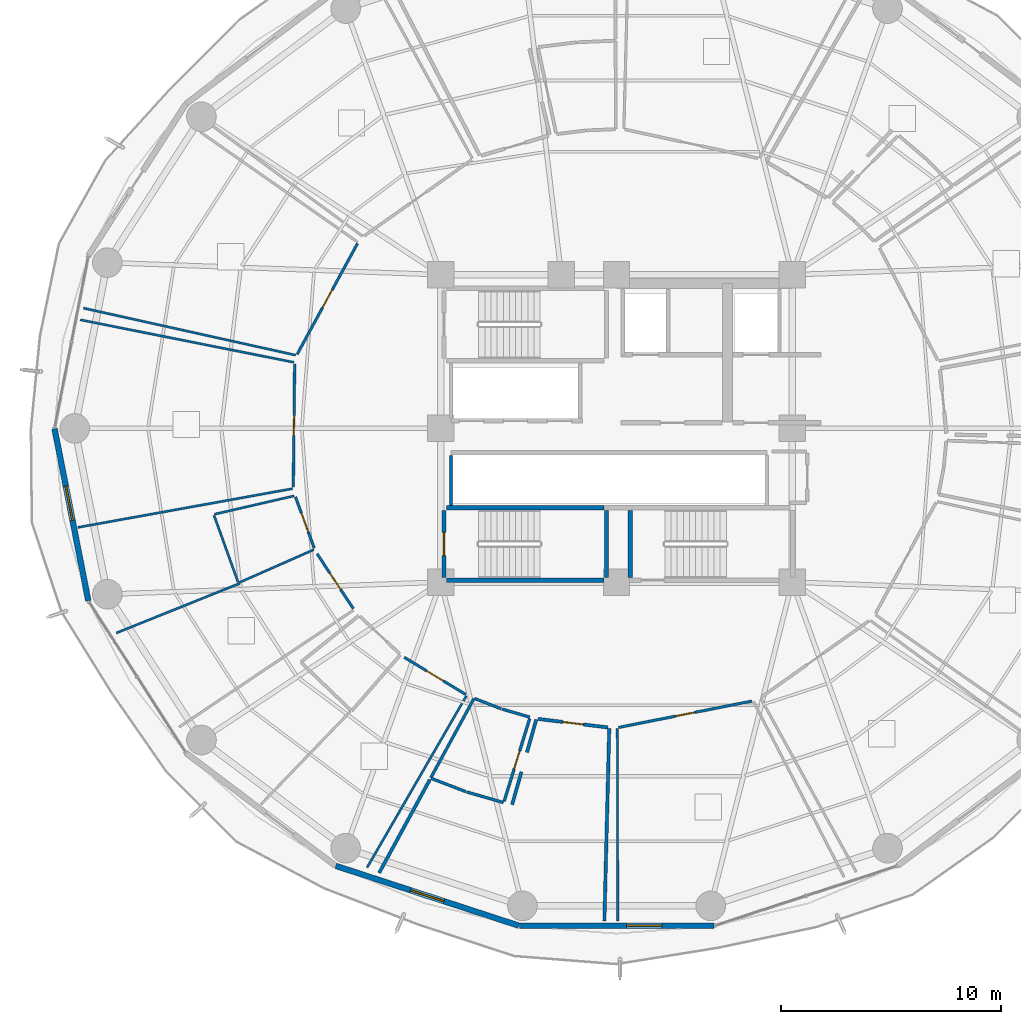
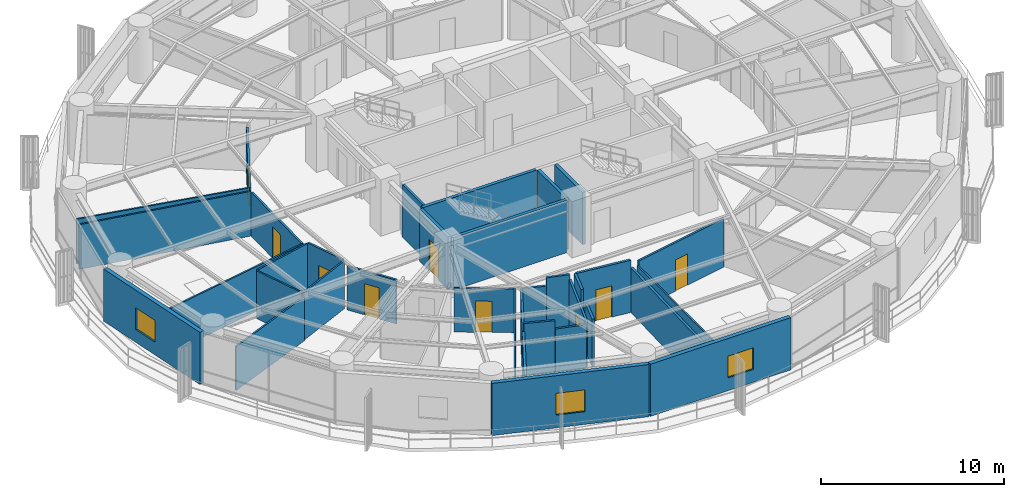
# One storey, part 29 of 35: 35 walls, 9 doors, 3 windows, 12 openings.
"""IFC4 building model written with IfcOpenShell, lengths in metres."""

from ifc_helpers import new_model, si_unit, direction, frame, frame_2d, origin, place, context, subcontext, project, spatial, rectangle, extrude, material, layer, layer_set, type_object, element, fill, save


model = new_model("IFC4")

# Units and contexts
model_context = context("Model", 3, precision=1e-05, world=origin(), true_north=direction((0.0, 1.0)))
body_context = subcontext(model_context, "Body", "Model", "MODEL_VIEW")
ifc_project = project(units=[si_unit("LENGTHUNIT", "METRE"), si_unit("AREAUNIT", "SQUARE_METRE"), si_unit("VOLUMEUNIT", "CUBIC_METRE"), si_unit("PLANEANGLEUNIT", "RADIAN"), si_unit("MASSUNIT", "GRAM", prefix="KILO")], contexts=[model_context])

# Site, building, storey
site_placement = place(None, origin())
site = spatial("IfcSite", under=ifc_project, at=site_placement, CompositionType="ELEMENT")
building_placement = place(site_placement, origin())
building = spatial("IfcBuilding", under=site, at=building_placement, Name="Kelanora Arch Commons", CompositionType="ELEMENT")
storey_placement = place(building_placement, frame((0.0, 0.0, 121.35009765625)))
storey = spatial("IfcBuildingStorey", under=building, at=storey_placement, Name="L31", CompositionType="ELEMENT", Elevation=121.35009765625)

# Wall
ifc_material_1 = material(Name="Autoclaved aerated concrete blockwork with fire plaster", Category="masonry")
ifc_layer_1 = layer(ifc_material_1, 0.14990234375)
ifc_layer_set_1 = layer_set([ifc_layer_1], Name="Autoclaved aerated concrete blockwork with fire plaster")
wall_type_1 = type_object("IfcWallType", Name="W-COMP-150", PredefinedType="PARTITIONING", material=ifc_layer_set_1)
wall_1_placement = place(storey_placement, frame((66.4599609375, 54.47998046875, 0.0), z_axis=(0.0, 0.0, 1.0), x_axis=(0.0, 1.0, 0.0)))
element("IfcWall", 1, at=wall_1_placement, inside=storey, type_object=wall_type_1, Name="South Lift Bank West Wall L31", PredefinedType="PARTITIONING", context=body_context, shape_type="SweptSolid", body=[
    extrude(rectangle(XDim=2.2900390625, YDim=0.14990234375, at=frame_2d((1.14501953125, 0.0))), origin(), (0.0, 0.0, 1.0), 3.47998046875),
])

# Wall, opening, door
wall_2_placement = place(storey_placement, frame((70.41357421875, 44.769775390625, 0.0), z_axis=(0.0, 0.0, 1.0), x_axis=(0.992649213004, -0.12102702146, 0.0)))
wall_2 = element("IfcWall", 2, at=wall_2_placement, inside=storey, type_object=wall_type_1, Name="Co-Living Studio L31-09 Entry Partition", PredefinedType="PARTITIONING", context=body_context, shape_type="SweptSolid", body=[
    extrude(rectangle(XDim=3.217529296875, YDim=0.14990234375, at=frame_2d((1.60888671875, 0.0))), origin(), (0.0, 0.0, 1.0), 3.47998046875),
])
opening_1_placement = place(wall_2_placement, frame((1.134033203125, 0.0, 0.0)))
opening_1 = element("IfcOpeningElement", 3, at=opening_1_placement, cuts=wall_2, Name="Opening D-CLU1", PredefinedType="OPENING", context=body_context, shape_type="SweptSolid", body=[
    extrude(rectangle(XDim=0.949951171875, YDim=2.080078125, at=frame_2d((0.47509765625, 1.0400390625))), frame((0.0, 0.0849609375, 0.0), z_axis=(0.0, -1.0, 0.0), x_axis=(1.0, 0.0, 0.0)), (0.0, 0.0, 1.0), 0.169921875),
])
ifc_material_2 = material(Name="Solid-core acoustic timber cluster entry fire door", Category="wood")
door_type_1 = type_object("IfcDoorType", Name="D-CLU-95", OperationType="NOTDEFINED", PredefinedType="DOOR", material=ifc_material_2)
door_1_placement = place(opening_1_placement, origin())
door_1 = element("IfcDoor", 4, at=door_1_placement, inside=storey, type_object=door_type_1, Name="Co-Living Studio L31-09 Door", OperationType="SINGLE_SWING_LEFT", OverallHeight=2.080078125, OverallWidth=0.949951171875, PredefinedType="DOOR", context=body_context, shape_type="SweptSolid", body=[
    extrude(rectangle(XDim=0.949951171875, YDim=2.080078125, at=frame_2d((0.47509765625, 1.0400390625))), frame((0.0, 0.02490234375, 0.0), z_axis=(0.0, -1.0, 0.0), x_axis=(1.0, 0.0, 0.0)), (0.0, 0.0, 1.0), 0.050048828125),
])
fill(opening_1, door_1)

# Walls
wall_3_placement = place(storey_placement, frame((73.666015625, 44.3330078125, 0.0), z_axis=(0.0, 0.0, 1.0), x_axis=(-0.025193894125, -0.999682583473, 0.0)))
element("IfcWall", 5, at=wall_3_placement, inside=storey, type_object=wall_type_1, Name="Co-Living Studio L31-09 Enclosure Partition 2", PredefinedType="PARTITIONING", context=body_context, shape_type="SweptSolid", body=[
    extrude(rectangle(XDim=8.769775390625, YDim=0.14990234375, at=frame_2d((4.384765625, 0.0))), origin(), (0.0, 0.0, 1.0), 2.974853515625),
])
wall_4_placement = place(storey_placement, frame((63.18798828125, 37.759033203125, 0.0), z_axis=(0.0, 0.0, 1.0), x_axis=(0.477678819353, 0.878534544307, 0.0)))
element("IfcWall", 6, at=wall_4_placement, inside=storey, type_object=wall_type_1, Name="Co-Living Studio L31-09 Enclosure Partition 5", PredefinedType="PARTITIONING", context=body_context, shape_type="SweptSolid", body=[
    extrude(rectangle(XDim=4.827392578125, YDim=0.14990234375, at=frame_2d((2.41357421875, 0.0))), origin(), (0.0, 0.0, 1.0), 2.974853515625),
])
wall_5_placement = place(storey_placement, frame((69.243896484375, 40.866455078125, 0.0), z_axis=(0.0, 0.0, 1.0), x_axis=(0.273076599945, 0.961992292361, 0.0)))
element("IfcWall", 7, at=wall_5_placement, inside=storey, type_object=wall_type_1, Name="Co-Living Studio L31-09 Enclosure Partition 7", PredefinedType="PARTITIONING", context=body_context, shape_type="SweptSolid", body=[
    extrude(rectangle(XDim=1.54931640625, YDim=0.14990234375, at=frame_2d((0.774658203125, 0.0))), origin(), (0.0, 0.0, 1.0), 3.1748046875),
])
wall_6_placement = place(storey_placement, frame((69.918212890625, 43.2421875, 0.0), z_axis=(0.0, 0.0, 1.0), x_axis=(0.273103794408, 0.961984572371, 0.0)))
element("IfcWall", 8, at=wall_6_placement, inside=storey, type_object=wall_type_1, Name="Co-Living Studio L31-09 Enclosure Partition 7", PredefinedType="PARTITIONING", context=body_context, shape_type="SweptSolid", body=[
    extrude(rectangle(XDim=1.555419921875, YDim=0.14990234375, at=frame_2d((0.77783203125, 0.0))), origin(), (0.0, 0.0, 1.0), 3.47998046875),
])

# Wall, opening, window
ifc_material_3 = material(Name="Precast concrete C40/50 with terracotta rainscreen", Category="masonry")
ifc_layer_2 = layer(ifc_material_3, 0.260009765625)
ifc_layer_set_2 = layer_set([ifc_layer_2], Name="Precast concrete C40/50 with terracotta rainscreen")
wall_type_2 = type_object("IfcWallType", Name="W-EXT-TC", PredefinedType="SOLIDWALL", material=ifc_layer_set_2)
wall_7_placement = place(storey_placement, frame((48.40283203125, 57.9853515625, 0.0), z_axis=(0.0, 0.0, 1.0), x_axis=(0.192581843632, -0.981280914674, 0.0)))
wall_7 = element("IfcWall", 9, at=wall_7_placement, inside=storey, type_object=wall_type_2, Name="Terracotta Exterior Wall L31-B09", PredefinedType="SOLIDWALL", context=body_context, shape_type="SweptSolid", body=[
    extrude(rectangle(XDim=7.986572265625, YDim=0.260009765625, at=frame_2d((3.9931640625, 0.0))), origin(), (0.0, 0.0, 1.0), 3.474853515625),
])
opening_2_placement = place(wall_7_placement, frame((2.653076171875, 0.0, 0.85009765625)))
opening_2 = element("IfcOpeningElement", 10, at=opening_2_placement, cuts=wall_7, Name="Opening WN-01", PredefinedType="OPENING", context=body_context, shape_type="SweptSolid", body=[
    extrude(rectangle(XDim=1.60009765625, YDim=1.449951171875, at=frame_2d((0.800048828125, 0.72509765625))), frame((0.0, 0.14013671875, 0.0), z_axis=(0.0, -1.0, 0.0), x_axis=(1.0, 0.0, 0.0)), (0.0, 0.0, 1.0), 0.280029296875),
])
ifc_material_4 = material(Name="Terracotta-anodised aluminium frame with operable low-E glazing", Category="masonry")
window_type = type_object("IfcWindowType", Name="WIN-CL-18", PartitioningType="DOUBLE_PANEL_VERTICAL", PredefinedType="WINDOW", material=ifc_material_4)
window_1_placement = place(opening_2_placement, origin())
window_1 = element("IfcWindow", 11, at=window_1_placement, inside=storey, type_object=window_type, Name="Co-Living Operable Window L31-B09", OverallHeight=1.449951171875, OverallWidth=1.60009765625, PartitioningType="SINGLE_PANEL", PredefinedType="WINDOW", context=body_context, shape_type="SweptSolid", body=[
    extrude(rectangle(XDim=1.60009765625, YDim=1.449951171875, at=frame_2d((0.800048828125, 0.72509765625))), frame((0.0, 0.030029296875, 0.0), z_axis=(0.0, -1.0, 0.0), x_axis=(1.0, 0.0, 0.0)), (0.0, 0.0, 1.0), 0.06005859375),
])
fill(opening_2, window_1)

wall_8_placement = place(storey_placement, frame((61.21435546875, 38.07666015625, 0.0), z_axis=(0.0, 0.0, 1.0), x_axis=(0.950471101963, -0.310812941064, 0.0)))
wall_8 = element("IfcWall", 12, at=wall_8_placement, inside=storey, type_object=wall_type_2, Name="Terracotta Exterior Wall L31-B12", PredefinedType="SOLIDWALL", context=body_context, shape_type="SweptSolid", body=[
    extrude(rectangle(XDim=8.759765625, YDim=0.260009765625, at=frame_2d((4.3798828125, 0.0))), origin(), (0.0, 0.0, 1.0), 3.474853515625),
])
opening_3_placement = place(wall_8_placement, frame((3.580078125, 0.0, 0.85009765625)))
opening_3 = element("IfcOpeningElement", 13, at=opening_3_placement, cuts=wall_8, Name="Opening WN-01", PredefinedType="OPENING", context=body_context, shape_type="SweptSolid", body=[
    extrude(rectangle(XDim=1.60009765625, YDim=1.449951171875, at=frame_2d((0.800048828125, 0.72509765625))), frame((0.0, 0.14013671875, 0.0), z_axis=(0.0, -1.0, 0.0), x_axis=(1.0, 0.0, 0.0)), (0.0, 0.0, 1.0), 0.280029296875),
])
window_2_placement = place(opening_3_placement, origin())
window_2 = element("IfcWindow", 14, at=window_2_placement, inside=storey, type_object=window_type, Name="Co-Living Operable Window L31-B12", OverallHeight=1.449951171875, OverallWidth=1.60009765625, PartitioningType="SINGLE_PANEL", PredefinedType="WINDOW", context=body_context, shape_type="SweptSolid", body=[
    extrude(rectangle(XDim=1.60009765625, YDim=1.449951171875, at=frame_2d((0.800048828125, 0.72509765625))), frame((0.0, 0.030029296875, 0.0), z_axis=(0.0, -1.0, 0.0), x_axis=(1.0, 0.0, 0.0)), (0.0, 0.0, 1.0), 0.06005859375),
])
fill(opening_3, window_2)

wall_9_placement = place(storey_placement, frame((69.569580078125, 35.349365234375, 0.0), z_axis=(0.0, 0.0, 1.0), x_axis=(1.0, 0.0, 0.0)))
wall_9 = element("IfcWall", 15, at=wall_9_placement, inside=storey, type_object=wall_type_2, Name="Terracotta Exterior Wall L31-B13", PredefinedType="SOLIDWALL", context=body_context, shape_type="SweptSolid", body=[
    extrude(rectangle(XDim=8.86083984375, YDim=0.260009765625, at=frame_2d((4.430419921875, 0.0))), origin(), (0.0, 0.0, 1.0), 3.474853515625),
])
opening_4_placement = place(wall_9_placement, frame((4.889892578125, 0.0, 0.85009765625)))
opening_4 = element("IfcOpeningElement", 16, at=opening_4_placement, cuts=wall_9, Name="Opening WN-01", PredefinedType="OPENING", context=body_context, shape_type="SweptSolid", body=[
    extrude(rectangle(XDim=1.60009765625, YDim=1.449951171875, at=frame_2d((0.800048828125, 0.72509765625))), frame((0.0, 0.14013671875, 0.0), z_axis=(0.0, -1.0, 0.0), x_axis=(1.0, 0.0, 0.0)), (0.0, 0.0, 1.0), 0.280029296875),
])
window_3_placement = place(opening_4_placement, origin())
window_3 = element("IfcWindow", 17, at=window_3_placement, inside=storey, type_object=window_type, Name="Co-Living Operable Window L31-B13", OverallHeight=1.449951171875, OverallWidth=1.60009765625, PartitioningType="SINGLE_PANEL", PredefinedType="WINDOW", context=body_context, shape_type="SweptSolid", body=[
    extrude(rectangle(XDim=1.60009765625, YDim=1.449951171875, at=frame_2d((0.800048828125, 0.72509765625))), frame((0.0, 0.030029296875, 0.0), z_axis=(0.0, -1.0, 0.0), x_axis=(1.0, 0.0, 0.0)), (0.0, 0.0, 1.0), 0.06005859375),
])
fill(opening_4, window_3)

# Walls
ifc_material_5 = material(Name="Lightweight fire-rated acoustic stud partition")
ifc_layer_3 = layer(ifc_material_5, 0.10009765625)
ifc_layer_set_3 = layer_set([ifc_layer_3], Name="Lightweight fire-rated acoustic stud partition")
wall_type_3 = type_object("IfcWallType", Name="W-PART-100", PredefinedType="PARTITIONING", material=ifc_layer_set_3)
wall_10_placement = place(storey_placement, frame((59.385986328125, 61.335693359375, 0.0), z_axis=(0.0, 0.0, 1.0), x_axis=(-0.976312199438, 0.216366562178, 0.0)))
element("IfcWall", 18, at=wall_10_placement, inside=storey, type_object=wall_type_3, Name="Quiet Seminar Study Room L31-05 Enclosure Partition 2", PredefinedType="PARTITIONING", context=body_context, shape_type="SweptSolid", body=[
    extrude(rectangle(XDim=9.902587890625, YDim=0.10009765625, at=frame_2d((4.951171875, 0.0))), origin(), (0.0, 0.0, 1.0), 2.974853515625),
])
wall_11_placement = place(storey_placement, frame((59.236572265625, 55.255859375, 0.0), z_axis=(0.0, 0.0, 1.0), x_axis=(-0.984081766615, -0.177716281237, 0.0)))
element("IfcWall", 19, at=wall_11_placement, inside=storey, type_object=wall_type_3, Name="Communal Dining and Social Hall L31-06 Enclosure Partition 2", PredefinedType="PARTITIONING", context=body_context, shape_type="SweptSolid", body=[
    extrude(rectangle(XDim=9.924072265625, YDim=0.10009765625, at=frame_2d((4.9619140625, 0.0))), origin(), (0.0, 0.0, 1.0), 2.974853515625),
])
wall_12_placement = place(storey_placement, frame((49.5751953125, 62.9453125, 0.0), z_axis=(0.0, 0.0, 1.0), x_axis=(0.980780933509, -0.195112174059, 0.0)))
element("IfcWall", 20, at=wall_12_placement, inside=storey, type_object=wall_type_3, Name="Communal Dining and Social Hall L31-06 Enclosure Partition 4", PredefinedType="PARTITIONING", context=body_context, shape_type="SweptSolid", body=[
    extrude(rectangle(XDim=9.915283203125, YDim=0.10009765625, at=frame_2d((4.95751953125, 0.0))), origin(), (0.0, 0.0, 1.0), 2.974853515625),
])
wall_13_placement = place(storey_placement, frame((60.21337890625, 52.47900390625, 0.0), z_axis=(0.0, 0.0, 1.0), x_axis=(-0.914847920866, -0.403798565732, 0.0)))
element("IfcWall", 21, at=wall_13_placement, inside=storey, type_object=wall_type_3, Name="Student Laundry Room L31-07 Enclosure Partition 2", PredefinedType="PARTITIONING", context=body_context, shape_type="SweptSolid", body=[
    extrude(rectangle(XDim=3.719482421875, YDim=0.10009765625, at=frame_2d((1.85986328125, 0.0))), origin(), (0.0, 0.0, 1.0), 3.1748046875),
])
wall_14_placement = place(storey_placement, frame((56.760498046875, 50.99853515625, 0.0), z_axis=(0.0, 0.0, 1.0), x_axis=(-0.338198726163, 0.94107471628, 0.0)))
element("IfcWall", 22, at=wall_14_placement, inside=storey, type_object=wall_type_3, Name="Student Laundry Room L31-07 Enclosure Partition 3", PredefinedType="PARTITIONING", context=body_context, shape_type="SweptSolid", body=[
    extrude(rectangle(XDim=3.237548828125, YDim=0.10009765625, at=frame_2d((1.61865234375, 0.0))), origin(), (0.0, 0.0, 1.0), 3.1748046875),
])
wall_15_placement = place(storey_placement, frame((55.69091796875, 54.092041015625, 0.0), z_axis=(0.0, 0.0, 1.0), x_axis=(0.974413318027, 0.224763621728, 0.0)))
element("IfcWall", 23, at=wall_15_placement, inside=storey, type_object=wall_type_3, Name="Student Laundry Room L31-07 Enclosure Partition 4", PredefinedType="PARTITIONING", context=body_context, shape_type="SweptSolid", body=[
    extrude(rectangle(XDim=3.71923828125, YDim=0.10009765625, at=frame_2d((1.859619140625, 0.0))), origin(), (0.0, 0.0, 1.0), 3.1748046875),
])
wall_16_placement = place(storey_placement, frame((51.218994140625, 48.684814453125, 0.0), z_axis=(0.0, 0.0, 1.0), x_axis=(0.927926926295, 0.372762148637, 0.0)))
element("IfcWall", 24, at=wall_16_placement, inside=storey, type_object=wall_type_3, Name="Quiet Reading Carrel L31-07 Enclosure Partition 4", PredefinedType="PARTITIONING", context=body_context, shape_type="SweptSolid", body=[
    extrude(rectangle(XDim=6.04443359375, YDim=0.10009765625, at=frame_2d((3.022216796875, 0.0))), origin(), (0.0, 0.0, 1.0), 2.9248046875),
])
wall_17_placement = place(storey_placement, frame((67.159912109375, 45.8193359375, 0.0), z_axis=(0.0, 0.0, 1.0), x_axis=(-0.500668535271, -0.865639080558, 0.0)))
element("IfcWall", 25, at=wall_17_placement, inside=storey, type_object=wall_type_3, Name="Tutorial Study Alcove L31-08 Enclosure Partition 2", PredefinedType="PARTITIONING", context=body_context, shape_type="SweptSolid", body=[
    extrude(rectangle(XDim=9.030029296875, YDim=0.10009765625, at=frame_2d((4.51513671875, 0.0))), origin(), (0.0, 0.0, 1.0), 2.9248046875),
])
wall_18_placement = place(storey_placement, frame((74.055908203125, 35.56005859375, 0.0), z_axis=(0.0, 0.0, 1.0), x_axis=(-0.00247758273, 0.999996930787, 0.0)))
element("IfcWall", 26, at=wall_18_placement, inside=storey, type_object=wall_type_3, Name="Social Sky Lounge L31-10 Enclosure Partition 4", PredefinedType="PARTITIONING", context=body_context, shape_type="SweptSolid", body=[
    extrude(rectangle(XDim=8.77001953125, YDim=0.10009765625, at=frame_2d((4.385009765625, 0.0))), origin(), (0.0, 0.0, 1.0), 2.974853515625),
])

# Wall, opening, door
ifc_material_6 = material(Name="Acoustic twin-stud fire-rated gypsum partition")
ifc_layer_4 = layer(ifc_material_6, 0.1201171875)
ifc_layer_set_4 = layer_set([ifc_layer_4], Name="Acoustic twin-stud fire-rated gypsum partition")
wall_type_4 = type_object("IfcWallType", Name="W-PART-120", PredefinedType="PARTITIONING", material=ifc_layer_set_4)
wall_19_placement = place(storey_placement, frame((62.19921875, 66.42138671875, 0.0), z_axis=(0.0, 0.0, 1.0), x_axis=(-0.478256103777, -0.878220416069, 0.0)))
wall_19 = element("IfcWall", 27, at=wall_19_placement, inside=storey, type_object=wall_type_4, Name="Quiet Seminar Study Room L31-05 Entry Partition", PredefinedType="PARTITIONING", context=body_context, shape_type="SweptSolid", body=[
    extrude(rectangle(XDim=5.740966796875, YDim=0.1201171875, at=frame_2d((2.87060546875, 0.0))), origin(), (0.0, 0.0, 1.0), 2.9248046875),
])
opening_5_placement = place(wall_19_placement, frame((2.419921875, 0.0, 0.0)))
opening_5 = element("IfcOpeningElement", 28, at=opening_5_placement, cuts=wall_19, Name="Opening D-RM1", PredefinedType="OPENING", context=body_context, shape_type="SweptSolid", body=[
    extrude(rectangle(XDim=0.89990234375, YDim=2.080078125, at=frame_2d((0.449951171875, 1.0400390625))), frame((0.0, 0.070068359375, 0.0), z_axis=(0.0, -1.0, 0.0), x_axis=(1.0, 0.0, 0.0)), (0.0, 0.0, 1.0), 0.14013671875),
])
ifc_material_7 = material(Name="Acoustic fire-rated timber study and lounge door", Category="wood")
door_type_2 = type_object("IfcDoorType", Name="D-ROOM-90", OperationType="NOTDEFINED", PredefinedType="DOOR", material=ifc_material_7)
door_2_placement = place(opening_5_placement, origin())
door_2 = element("IfcDoor", 29, at=door_2_placement, inside=storey, type_object=door_type_2, Name="Quiet Seminar Study Room L31-05 Door", OperationType="SINGLE_SWING_RIGHT", OverallHeight=2.080078125, OverallWidth=0.89990234375, PredefinedType="DOOR", context=body_context, shape_type="SweptSolid", body=[
    extrude(rectangle(XDim=0.89990234375, YDim=2.080078125, at=frame_2d((0.449951171875, 1.0400390625))), frame((0.0, 0.02490234375, 0.0), z_axis=(0.0, -1.0, 0.0), x_axis=(1.0, 0.0, 0.0)), (0.0, 0.0, 1.0), 0.050048828125),
])
fill(opening_5, door_2)

wall_20_placement = place(storey_placement, frame((59.33837890625, 60.943115234375, 0.0), z_axis=(0.0, 0.0, 1.0), x_axis=(-0.010989779386, -0.999939610551, 0.0)))
wall_20 = element("IfcWall", 30, at=wall_20_placement, inside=storey, type_object=wall_type_4, Name="Communal Dining and Social Hall L31-06 Entry Partition", PredefinedType="PARTITIONING", context=body_context, shape_type="SweptSolid", body=[
    extrude(rectangle(XDim=5.620361328125, YDim=0.1201171875, at=frame_2d((2.81005859375, 0.0))), origin(), (0.0, 0.0, 1.0), 2.9248046875),
])
opening_6_placement = place(wall_20_placement, frame((2.360107421875, 0.0, 0.0)))
opening_6 = element("IfcOpeningElement", 31, at=opening_6_placement, cuts=wall_20, Name="Opening D-RM1", PredefinedType="OPENING", context=body_context, shape_type="SweptSolid", body=[
    extrude(rectangle(XDim=0.89990234375, YDim=2.080078125, at=frame_2d((0.449951171875, 1.0400390625))), frame((0.0, 0.070068359375, 0.0), z_axis=(0.0, -1.0, 0.0), x_axis=(1.0, 0.0, 0.0)), (0.0, 0.0, 1.0), 0.14013671875),
])
door_3_placement = place(opening_6_placement, origin())
door_3 = element("IfcDoor", 32, at=door_3_placement, inside=storey, type_object=door_type_2, Name="Communal Dining and Social Hall L31-06 Door", OperationType="SINGLE_SWING_LEFT", OverallHeight=2.080078125, OverallWidth=0.89990234375, PredefinedType="DOOR", context=body_context, shape_type="SweptSolid", body=[
    extrude(rectangle(XDim=0.89990234375, YDim=2.080078125, at=frame_2d((0.449951171875, 1.0400390625))), frame((0.0, 0.02490234375, 0.0), z_axis=(0.0, -1.0, 0.0), x_axis=(1.0, 0.0, 0.0)), (0.0, 0.0, 1.0), 0.050048828125),
])
fill(opening_6, door_3)

wall_21_placement = place(storey_placement, frame((59.374755859375, 54.880615234375, 0.0), z_axis=(0.0, 0.0, 1.0), x_axis=(0.344396316594, -0.938824359035, 0.0)))
wall_21 = element("IfcWall", 33, at=wall_21_placement, inside=storey, type_object=wall_type_4, Name="Student Laundry Room L31-07 Entry Partition", PredefinedType="PARTITIONING", context=body_context, shape_type="SweptSolid", body=[
    extrude(rectangle(XDim=2.481201171875, YDim=0.1201171875, at=frame_2d((1.24072265625, 0.0))), origin(), (0.0, 0.0, 1.0), 3.23486328125),
])
opening_7_placement = place(wall_21_placement, frame((0.791015625, 0.0, 0.0)))
opening_7 = element("IfcOpeningElement", 34, at=opening_7_placement, cuts=wall_21, Name="Opening D-RM1", PredefinedType="OPENING", context=body_context, shape_type="SweptSolid", body=[
    extrude(rectangle(XDim=0.89990234375, YDim=2.080078125, at=frame_2d((0.449951171875, 1.0400390625))), frame((0.0, 0.070068359375, 0.0), z_axis=(0.0, -1.0, 0.0), x_axis=(1.0, 0.0, 0.0)), (0.0, 0.0, 1.0), 0.14013671875),
])
door_4_placement = place(opening_7_placement, origin())
door_4 = element("IfcDoor", 35, at=door_4_placement, inside=storey, type_object=door_type_2, Name="Student Laundry Room L31-07 Door", OperationType="SINGLE_SWING_RIGHT", OverallHeight=2.080078125, OverallWidth=0.89990234375, PredefinedType="DOOR", context=body_context, shape_type="SweptSolid", body=[
    extrude(rectangle(XDim=0.89990234375, YDim=2.080078125, at=frame_2d((0.449951171875, 1.0400390625))), frame((0.0, 0.02490234375, 0.0), z_axis=(0.0, -1.0, 0.0), x_axis=(1.0, 0.0, 0.0)), (0.0, 0.0, 1.0), 0.050048828125),
])
fill(opening_7, door_4)

wall_22_placement = place(storey_placement, frame((60.358154296875, 52.29296875, 0.0), z_axis=(0.0, 0.0, 1.0), x_axis=(0.551050840628, -0.834471671804, 0.0)))
wall_22 = element("IfcWall", 36, at=wall_22_placement, inside=storey, type_object=wall_type_4, Name="Quiet Reading Carrel L31-07 Entry Partition", PredefinedType="PARTITIONING", context=body_context, shape_type="SweptSolid", body=[
    extrude(rectangle(XDim=2.99951171875, YDim=0.1201171875, at=frame_2d((1.499755859375, 0.0))), origin(), (0.0, 0.0, 1.0), 2.9248046875),
])
opening_8_placement = place(wall_22_placement, frame((1.050048828125, 0.0, 0.0)))
opening_8 = element("IfcOpeningElement", 37, at=opening_8_placement, cuts=wall_22, Name="Opening D-RM1", PredefinedType="OPENING", context=body_context, shape_type="SweptSolid", body=[
    extrude(rectangle(XDim=0.89990234375, YDim=2.080078125, at=frame_2d((0.449951171875, 1.0400390625))), frame((0.0, 0.070068359375, 0.0), z_axis=(0.0, -1.0, 0.0), x_axis=(1.0, 0.0, 0.0)), (0.0, 0.0, 1.0), 0.14013671875),
])
door_5_placement = place(opening_8_placement, origin())
door_5 = element("IfcDoor", 38, at=door_5_placement, inside=storey, type_object=door_type_2, Name="Quiet Reading Carrel L31-07 Door", OperationType="SINGLE_SWING_LEFT", OverallHeight=2.080078125, OverallWidth=0.89990234375, PredefinedType="DOOR", context=body_context, shape_type="SweptSolid", body=[
    extrude(rectangle(XDim=0.89990234375, YDim=2.080078125, at=frame_2d((0.449951171875, 1.0400390625))), frame((0.0, 0.02490234375, 0.0), z_axis=(0.0, -1.0, 0.0), x_axis=(1.0, 0.0, 0.0)), (0.0, 0.0, 1.0), 0.050048828125),
])
fill(opening_8, door_5)

wall_23_placement = place(storey_placement, frame((64.329345703125, 47.573974609375, 0.0), z_axis=(0.0, 0.0, 1.0), x_axis=(0.8562252486, -0.516602674848, 0.0)))
wall_23 = element("IfcWall", 39, at=wall_23_placement, inside=storey, type_object=wall_type_4, Name="Tutorial Study Alcove L31-08 Entry Partition", PredefinedType="PARTITIONING", context=body_context, shape_type="SweptSolid", body=[
    extrude(rectangle(XDim=3.269287109375, YDim=0.1201171875, at=frame_2d((1.634765625, 0.0))), origin(), (0.0, 0.0, 1.0), 2.9248046875),
])
opening_9_placement = place(wall_23_placement, frame((1.18505859375, 0.0, 0.0)))
opening_9 = element("IfcOpeningElement", 40, at=opening_9_placement, cuts=wall_23, Name="Opening D-RM1", PredefinedType="OPENING", context=body_context, shape_type="SweptSolid", body=[
    extrude(rectangle(XDim=0.89990234375, YDim=2.080078125, at=frame_2d((0.449951171875, 1.0400390625))), frame((0.0, 0.070068359375, 0.0), z_axis=(0.0, -1.0, 0.0), x_axis=(1.0, 0.0, 0.0)), (0.0, 0.0, 1.0), 0.14013671875),
])
door_6_placement = place(opening_9_placement, origin())
door_6 = element("IfcDoor", 41, at=door_6_placement, inside=storey, type_object=door_type_2, Name="Tutorial Study Alcove L31-08 Door", OperationType="SINGLE_SWING_LEFT", OverallHeight=2.080078125, OverallWidth=0.89990234375, PredefinedType="DOOR", context=body_context, shape_type="SweptSolid", body=[
    extrude(rectangle(XDim=0.89990234375, YDim=2.080078125, at=frame_2d((0.449951171875, 1.0400390625))), frame((0.0, 0.02490234375, 0.0), z_axis=(0.0, -1.0, 0.0), x_axis=(1.0, 0.0, 0.0)), (0.0, 0.0, 1.0), 0.050048828125),
])
fill(opening_9, door_6)

wall_24_placement = place(storey_placement, frame((74.093017578125, 44.381591796875, 0.0), z_axis=(0.0, 0.0, 1.0), x_axis=(0.981035031673, 0.193830510061, 0.0)))
wall_24 = element("IfcWall", 42, at=wall_24_placement, inside=storey, type_object=wall_type_4, Name="Social Sky Lounge L31-10 Entry Partition", PredefinedType="PARTITIONING", context=body_context, shape_type="SweptSolid", body=[
    extrude(rectangle(XDim=6.184326171875, YDim=0.1201171875, at=frame_2d((3.09228515625, 0.0))), origin(), (0.0, 0.0, 1.0), 3.23486328125),
])
opening_10_placement = place(wall_24_placement, frame((2.64208984375, 0.0, 0.0)))
opening_10 = element("IfcOpeningElement", 43, at=opening_10_placement, cuts=wall_24, Name="Opening D-RM1", PredefinedType="OPENING", context=body_context, shape_type="SweptSolid", body=[
    extrude(rectangle(XDim=0.89990234375, YDim=2.080078125, at=frame_2d((0.449951171875, 1.0400390625))), frame((0.0, 0.070068359375, 0.0), z_axis=(0.0, -1.0, 0.0), x_axis=(1.0, 0.0, 0.0)), (0.0, 0.0, 1.0), 0.14013671875),
])
door_7_placement = place(opening_10_placement, origin())
door_7 = element("IfcDoor", 44, at=door_7_placement, inside=storey, type_object=door_type_2, Name="Social Sky Lounge L31-10 Door", OperationType="SINGLE_SWING_RIGHT", OverallHeight=2.080078125, OverallWidth=0.89990234375, PredefinedType="DOOR", context=body_context, shape_type="SweptSolid", body=[
    extrude(rectangle(XDim=0.89990234375, YDim=2.080078125, at=frame_2d((0.449951171875, 1.0400390625))), frame((0.0, 0.02490234375, 0.0), z_axis=(0.0, -1.0, 0.0), x_axis=(1.0, 0.0, 0.0)), (0.0, 0.0, 1.0), 0.050048828125),
])
fill(opening_10, door_7)

# Walls
ifc_material_8 = material(Name="Concrete C40/50", Category="concrete")
ifc_layer_5 = layer(ifc_material_8, 0.199951171875)
ifc_layer_set_5 = layer_set([ifc_layer_5], Name="Concrete C40/50")
wall_type_5 = type_object("IfcWallType", Name="W-STAIR-200", PredefinedType="SHEAR", material=ifc_layer_set_5)
wall_25_placement = place(storey_placement, frame((74.6201171875, 54.27001953125, 0.0), z_axis=(0.0, 0.0, 1.0), x_axis=(0.0, -1.0, 0.0)))
element("IfcWall", 45, at=wall_25_placement, inside=storey, type_object=wall_type_5, Name="Stair ST-T2 Shaft Wall W L31", PredefinedType="SHEAR", context=body_context, shape_type="SweptSolid", body=[
    extrude(rectangle(XDim=3.070068359375, YDim=0.199951171875, at=frame_2d((1.53515625, 0.0))), origin(), (0.0, 0.0, 1.0), 3.489990234375),
])
wall_26_placement = place(storey_placement, frame((66.260009765625, 51.080078125, 0.0), z_axis=(0.0, 0.0, 1.0), x_axis=(1.0, 0.0, 0.0)))
element("IfcWall", 46, at=wall_26_placement, inside=storey, type_object=wall_type_5, Name="Stair ST-T3 Shaft Wall S L31", PredefinedType="SHEAR", context=body_context, shape_type="SweptSolid", body=[
    extrude(rectangle(XDim=7.159912109375, YDim=0.199951171875, at=frame_2d((3.580078125, 0.0))), origin(), (0.0, 0.0, 1.0), 3.489990234375),
])
wall_27_placement = place(storey_placement, frame((73.5400390625, 51.199951171875, 0.0), z_axis=(0.0, 0.0, 1.0), x_axis=(0.0, 1.0, 0.0)))
element("IfcWall", 47, at=wall_27_placement, inside=storey, type_object=wall_type_5, Name="Stair ST-T3 Shaft Wall E L31", PredefinedType="SHEAR", context=body_context, shape_type="SweptSolid", body=[
    extrude(rectangle(XDim=3.070068359375, YDim=0.199951171875, at=frame_2d((1.53515625, 0.0))), origin(), (0.0, 0.0, 1.0), 3.489990234375),
])
wall_28_placement = place(storey_placement, frame((73.419921875, 54.389892578125, 0.0), z_axis=(0.0, 0.0, 1.0), x_axis=(-1.0, 0.0, 0.0)))
element("IfcWall", 48, at=wall_28_placement, inside=storey, type_object=wall_type_5, Name="Stair ST-T3 Shaft Wall N L31", PredefinedType="SHEAR", context=body_context, shape_type="SweptSolid", body=[
    extrude(rectangle(XDim=7.159912109375, YDim=0.199951171875, at=frame_2d((3.580078125, 0.0))), origin(), (0.0, 0.0, 1.0), 3.489990234375),
])

# Wall, opening, door
wall_29_placement = place(storey_placement, frame((66.139892578125, 54.27001953125, 0.0), z_axis=(0.0, 0.0, 1.0), x_axis=(0.0, -1.0, 0.0)))
wall_29 = element("IfcWall", 49, at=wall_29_placement, inside=storey, type_object=wall_type_5, Name="Stair ST-T3 Shaft Wall W L31", PredefinedType="SHEAR", context=body_context, shape_type="SweptSolid", body=[
    extrude(rectangle(XDim=3.070068359375, YDim=0.199951171875, at=frame_2d((1.53515625, 0.0))), origin(), (0.0, 0.0, 1.0), 3.489990234375),
])
opening_11_placement = place(wall_29_placement, frame((1.010009765625, 0.0, 0.0)))
opening_11 = element("IfcOpeningElement", 50, at=opening_11_placement, cuts=wall_29, Name="Opening D-ST1", PredefinedType="OPENING", context=body_context, shape_type="SweptSolid", body=[
    extrude(rectangle(XDim=1.050048828125, YDim=2.10009765625, at=frame_2d((0.52490234375, 1.050048828125))), frame((0.0, 0.10986328125, 0.0), z_axis=(0.0, -1.0, 0.0), x_axis=(1.0, 0.0, 0.0)), (0.0, 0.0, 1.0), 0.219970703125),
])
ifc_material_9 = material(Name="Steel fire-rated stairwell escape door", Category="steel")
door_type_3 = type_object("IfcDoorType", Name="D-STAIR-110", OperationType="NOTDEFINED", PredefinedType="DOOR", material=ifc_material_9)
door_8_placement = place(opening_11_placement, origin())
door_8 = element("IfcDoor", 51, at=door_8_placement, inside=storey, type_object=door_type_3, Name="Stair ST-T3 Escape Door L31", OperationType="SINGLE_SWING_LEFT", OverallHeight=2.10009765625, OverallWidth=1.050048828125, PredefinedType="DOOR", context=body_context, shape_type="SweptSolid", body=[
    extrude(rectangle(XDim=1.050048828125, YDim=2.10009765625, at=frame_2d((0.52490234375, 1.050048828125))), frame((0.0, 0.02490234375, 0.0), z_axis=(0.0, -1.0, 0.0), x_axis=(1.0, 0.0, 0.0)), (0.0, 0.0, 1.0), 0.050048828125),
])
fill(opening_11, door_8)

ifc_material_10 = material(Name="Moisture-resistant fire-rated cement-board plumbing wall")
ifc_layer_6 = layer(ifc_material_10, 0.1298828125)
ifc_layer_set_6 = layer_set([ifc_layer_6], Name="Moisture-resistant fire-rated cement-board plumbing wall")
wall_type_6 = type_object("IfcWallType", Name="W-WET-120", PredefinedType="PLUMBINGWALL", material=ifc_layer_set_6)
wall_30_placement = place(storey_placement, frame((70.044189453125, 44.788818359375, 0.0), z_axis=(0.0, 0.0, 1.0), x_axis=(-0.294737077858, -0.955578387646, 0.0)))
wall_30 = element("IfcWall", 52, at=wall_30_placement, inside=storey, type_object=wall_type_6, Name="En-Suite Shower WC L31-09 Entry Partition", PredefinedType="PLUMBINGWALL", context=body_context, shape_type="SweptSolid", body=[
    extrude(rectangle(XDim=3.951171875, YDim=0.1298828125, at=frame_2d((1.9755859375, 0.0))), origin(), (0.0, 0.0, 1.0), 3.1748046875),
])
opening_12_placement = place(wall_30_placement, frame((1.544921875, 0.0, 0.0)))
opening_12 = element("IfcOpeningElement", 53, at=opening_12_placement, cuts=wall_30, Name="Opening D-BT1", PredefinedType="OPENING", context=body_context, shape_type="SweptSolid", body=[
    extrude(rectangle(XDim=0.860107421875, YDim=2.050048828125, at=frame_2d((0.43017578125, 1.02490234375))), frame((0.0, 0.074951171875, 0.0), z_axis=(0.0, -1.0, 0.0), x_axis=(1.0, 0.0, 0.0)), (0.0, 0.0, 1.0), 0.14990234375),
])
ifc_material_11 = material(Name="Moisture-sealed fire-rated accessible bathroom door")
door_type_4 = type_object("IfcDoorType", Name="D-BATH-85", OperationType="NOTDEFINED", PredefinedType="DOOR", material=ifc_material_11)
door_9_placement = place(opening_12_placement, origin())
door_9 = element("IfcDoor", 54, at=door_9_placement, inside=storey, type_object=door_type_4, Name="En-Suite Shower WC L31-09 Door", OperationType="SINGLE_SWING_RIGHT", OverallHeight=2.050048828125, OverallWidth=0.860107421875, PredefinedType="DOOR", context=body_context, shape_type="SweptSolid", body=[
    extrude(rectangle(XDim=0.860107421875, YDim=2.050048828125, at=frame_2d((0.43017578125, 1.02490234375))), frame((0.0, 0.02490234375, 0.0), z_axis=(0.0, -1.0, 0.0), x_axis=(1.0, 0.0, 0.0)), (0.0, 0.0, 1.0), 0.050048828125),
])
fill(opening_12, door_9)

# Walls
wall_31_placement = place(storey_placement, frame((67.527587890625, 45.69970703125, 0.0), z_axis=(0.0, 0.0, 1.0), x_axis=(0.933311844858, -0.359066846488, 0.0)))
element("IfcWall", 55, at=wall_31_placement, inside=storey, type_object=wall_type_6, Name="En-Suite Shower WC L31-09 Enclosure Partition 1", PredefinedType="PLUMBINGWALL", context=body_context, shape_type="SweptSolid", body=[
    extrude(rectangle(XDim=1.3046875, YDim=0.1298828125, at=frame_2d((0.65234375, 0.0))), origin(), (0.0, 0.0, 1.0), 2.9248046875),
])
wall_32_placement = place(storey_placement, frame((68.783203125, 45.218505859375, 0.0), z_axis=(0.0, 0.0, 1.0), x_axis=(0.960085412009, -0.279706992489, 0.0)))
element("IfcWall", 56, at=wall_32_placement, inside=storey, type_object=wall_type_6, Name="En-Suite Shower WC L31-09 Enclosure Partition 2", PredefinedType="PLUMBINGWALL", context=body_context, shape_type="SweptSolid", body=[
    extrude(rectangle(XDim=1.311767578125, YDim=0.1298828125, at=frame_2d((0.65576171875, 0.0))), origin(), (0.0, 0.0, 1.0), 3.47998046875),
])
wall_33_placement = place(storey_placement, frame((68.8427734375, 40.96142578125, 0.0), z_axis=(0.0, 0.0, 1.0), x_axis=(-0.960750273448, 0.277414693321, 0.0)))
element("IfcWall", 57, at=wall_33_placement, inside=storey, type_object=wall_type_6, Name="En-Suite Shower WC L31-09 Enclosure Partition 4", PredefinedType="PLUMBINGWALL", context=body_context, shape_type="SweptSolid", body=[
    extrude(rectangle(XDim=1.72314453125, YDim=0.1298828125, at=frame_2d((0.861572265625, 0.0))), origin(), (0.0, 0.0, 1.0), 2.9248046875),
])
wall_34_placement = place(storey_placement, frame((67.1494140625, 41.4521484375, 0.0), z_axis=(0.0, 0.0, 1.0), x_axis=(-0.934103540356, 0.357002207127, 0.0)))
element("IfcWall", 58, at=wall_34_placement, inside=storey, type_object=wall_type_6, Name="En-Suite Shower WC L31-09 Enclosure Partition 5", PredefinedType="PLUMBINGWALL", context=body_context, shape_type="SweptSolid", body=[
    extrude(rectangle(XDim=1.7138671875, YDim=0.1298828125, at=frame_2d((0.85693359375, 0.0))), origin(), (0.0, 0.0, 1.0), 3.47998046875),
])
wall_35_placement = place(storey_placement, frame((65.53955078125, 42.088623046875, 0.0), z_axis=(0.0, 0.0, 1.0), x_axis=(0.478075883312, 0.878318535496, 0.0)))
element("IfcWall", 59, at=wall_35_placement, inside=storey, type_object=wall_type_6, Name="En-Suite Shower WC L31-09 Enclosure Partition 6", PredefinedType="PLUMBINGWALL", context=body_context, shape_type="SweptSolid", body=[
    extrude(rectangle(XDim=4.099609375, YDim=0.1298828125, at=frame_2d((2.0498046875, 0.0))), origin(), (0.0, 0.0, 1.0), 2.9248046875),
])

save(model, "model.ifc")
